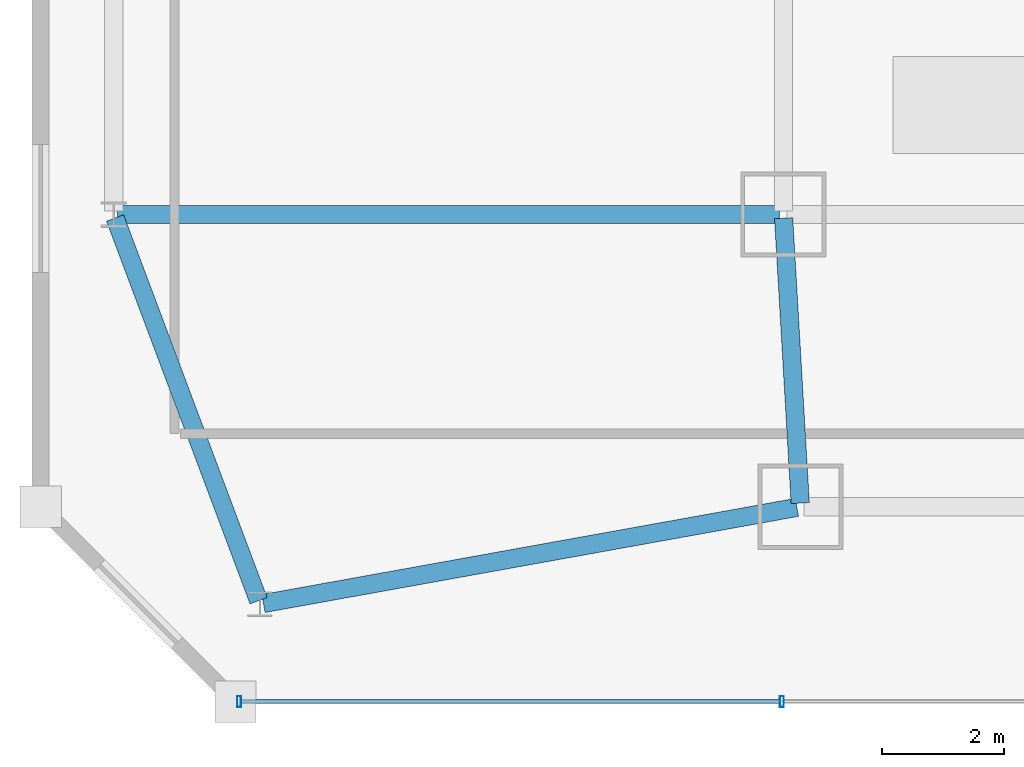
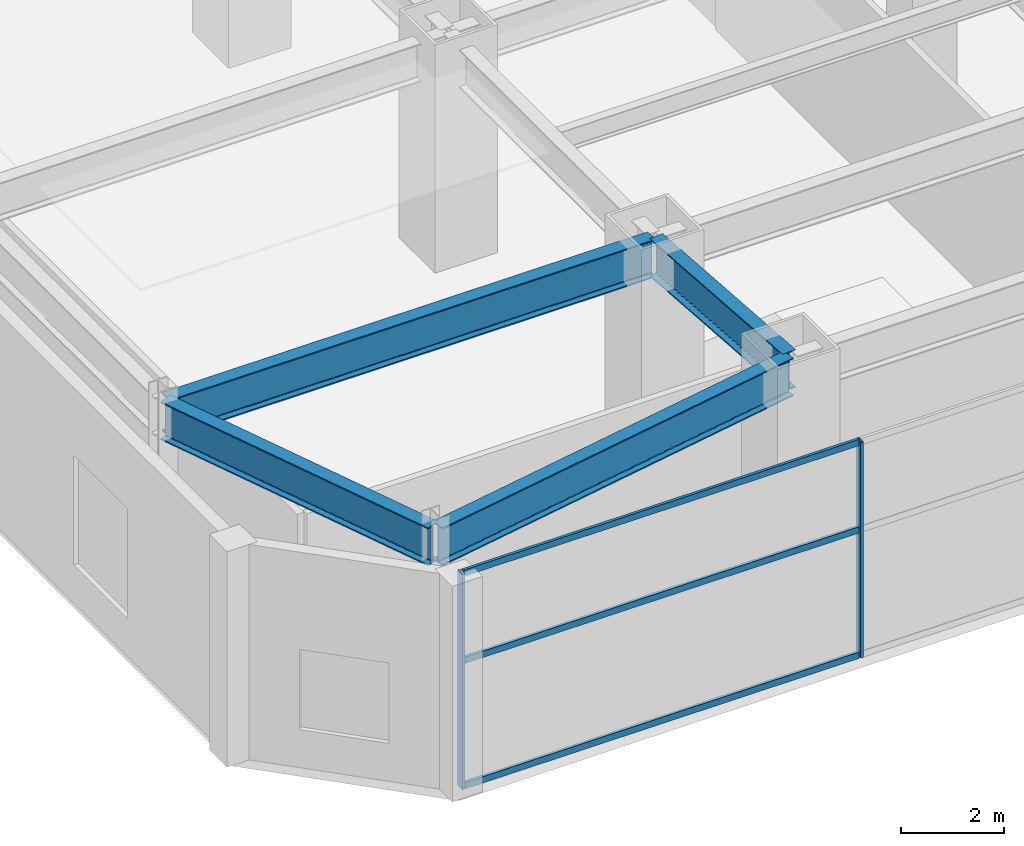
# One storey, part 8 of 51: 5 members, 4 beams, 1 element without a shape of its own.
"""IFC4 building model written with IfcOpenShell, lengths in metres."""

from ifc_helpers import new_model, si_unit, direction, frame, origin, origin_2d, place, context, subcontext, project, spatial, hollow_rectangle, i_section, extrude, material, material_profile, profile_set, type_object, element, aggregate, save


model = new_model("IFC4")

# Units and contexts
model_context = context("Model", 3, precision=1e-05, world=origin(), true_north=direction((0.0, 1.0)))
body_context = subcontext(model_context, "Body", "Model", "MODEL_VIEW")
ifc_project = project(units=[si_unit("LENGTHUNIT", "METRE"), si_unit("AREAUNIT", "SQUARE_METRE"), si_unit("VOLUMEUNIT", "CUBIC_METRE"), si_unit("PLANEANGLEUNIT", "RADIAN"), si_unit("MASSUNIT", "GRAM", prefix="KILO")], contexts=[model_context])

# Site, building, storey
site_placement = place(None, origin())
site = spatial("IfcSite", under=ifc_project, at=site_placement, CompositionType="ELEMENT")
building_placement = place(site_placement, origin())
building = spatial("IfcBuilding", under=site, at=building_placement, Name="Saevonmaru Cultural Tower", CompositionType="ELEMENT")
storey_placement = place(building_placement, frame((0.0, 0.0, 6.0)))
storey = spatial("IfcBuildingStorey", under=building, at=storey_placement, Name="L01", CompositionType="ELEMENT", Elevation=6.0)

# Beams
ifc_material_1 = material(Name="Steel SM420", Category="steel")
ifc_material_profile_1 = material_profile(ifc_material_1, i_section(OverallWidth=0.300048828125, OverallDepth=0.89990234375, WebThickness=0.01611328125, FlangeThickness=0.028076171875, FilletRadius=0.028076171875, at=origin_2d()), Name="H-900x300x16x28")
ifc_profile_set_1 = profile_set([ifc_material_profile_1], Name="Steel SM420")
beam_type = type_object("IfcBeamType", Name="BM-G-H900", PredefinedType="BEAM", material=ifc_profile_set_1)
beam_1_placement = place(storey_placement, frame((12.4765625, 3.260009765625, 4.64990234375), z_axis=(-0.058221363278, 0.998303697708, 0.0), x_axis=(-0.998303697708, -0.058221363278, 0.0)))
element("IfcBeam", 1, at=beam_1_placement, inside=storey, type_object=beam_type, Name="L01 Podium Girder NS1-1", PredefinedType="BEAM", context=body_context, shape_type="SweptSolid", body=[
    extrude(i_section(OverallWidth=0.300048828125, OverallDepth=0.89990234375, WebThickness=0.01611328125, FlangeThickness=0.028076171875, FilletRadius=0.028076171875, at=origin_2d()), origin(), (0.0, 0.0, 1.0), 4.688232421875),
])
beam_2_placement = place(storey_placement, frame((1.260009765625, 8.0, 4.64990234375), z_axis=(1.0, 0.0, 0.0), x_axis=(0.0, 1.0, 0.0)))
element("IfcBeam", 2, at=beam_2_placement, inside=storey, type_object=beam_type, Name="BM-POD-OW-1-L01", PredefinedType="BEAM", context=body_context, shape_type="SweptSolid", body=[
    extrude(i_section(OverallWidth=0.300048828125, OverallDepth=0.89990234375, WebThickness=0.01611328125, FlangeThickness=0.028076171875, FilletRadius=0.028076171875, at=origin_2d()), origin(), (0.0, 0.0, 1.0), 10.8798828125),
])
beam_3_placement = place(storey_placement, frame((3.658935546875, 1.610595703125, 4.64990234375), z_axis=(0.984149934695, 0.177338394151, 0.0), x_axis=(-0.177338394151, 0.984149934695, 0.0)))
element("IfcBeam", 3, at=beam_3_placement, inside=storey, type_object=beam_type, Name="BM-POD-PS-1-L01", PredefinedType="BEAM", context=body_context, shape_type="SweptSolid", body=[
    extrude(i_section(OverallWidth=0.300048828125, OverallDepth=0.89990234375, WebThickness=0.01611328125, FlangeThickness=0.028076171875, FilletRadius=0.028076171875, at=origin_2d()), origin(), (0.0, 0.0, 1.0), 8.903076171875),
])
beam_4_placement = place(storey_placement, frame((3.578857421875, 1.65625, 4.64990234375), z_axis=(-0.351099535502, 0.936338142003, 0.0), x_axis=(-0.936338142003, -0.351099535502, 0.0)))
element("IfcBeam", 4, at=beam_4_placement, inside=storey, type_object=beam_type, Name="BM-POD-PS-3-L01", PredefinedType="BEAM", context=body_context, shape_type="SweptSolid", body=[
    extrude(i_section(OverallWidth=0.300048828125, OverallDepth=0.89990234375, WebThickness=0.01611328125, FlangeThickness=0.028076171875, FilletRadius=0.028076171875, at=origin_2d()), origin(), (0.0, 0.0, 1.0), 6.715087890625),
])

# Curtain wall, members
ifc_material_2 = material(Name="Satin Bronze Anodised Aluminium", Category="aluminium")
curtain_wall_type = type_object("IfcCurtainWallType", Name="CW-POD-GLZ", PredefinedType="NOTDEFINED", material=ifc_material_2)
curtain_wall_placement = place(storey_placement, origin())
curtain_wall = element("IfcCurtainWall", 5, at=curtain_wall_placement, inside=storey, type_object=curtain_wall_type, Name="L01 South Grand Foyer Curtain Wall", PredefinedType="NOTDEFINED")
ifc_material_profile_2 = material_profile(ifc_material_2, hollow_rectangle(XDim=0.06494140625, YDim=0.179931640625, WallThickness=0.00390625, at=origin_2d()), Name="ALU-MULL-180x65x4")
ifc_profile_set_2 = profile_set([ifc_material_profile_2], Name="Satin Bronze Anodised Aluminium")
member_type_1 = type_object("IfcMemberType", Name="ML-CW-180x65", PredefinedType="MULLION", material=ifc_profile_set_2)
member_1_placement = place(storey_placement, frame((3.260009765625, 0.0, 0.0), z_axis=(0.0, 0.0, 1.0), x_axis=(1.0, 0.0, 0.0)))
member_1 = element("IfcMember", 6, at=member_1_placement, type_object=member_type_1, Name="CW-POD-S-L01 mullion 1", PredefinedType="MULLION", context=body_context, shape_type="SweptSolid", body=[
    extrude(hollow_rectangle(XDim=0.06494140625, YDim=0.179931640625, WallThickness=0.00390625, at=origin_2d()), origin(), (0.0, 0.0, 1.0), 5.10009765625),
])
member_2_placement = place(storey_placement, frame((12.17333984375, 0.0, 0.0), z_axis=(0.0, 0.0, 1.0), x_axis=(1.0, 0.0, 0.0)))
member_2 = element("IfcMember", 7, at=member_2_placement, type_object=member_type_1, Name="CW-POD-S-L01 mullion 2", PredefinedType="MULLION", context=body_context, shape_type="SweptSolid", body=[
    extrude(hollow_rectangle(XDim=0.06494140625, YDim=0.179931640625, WallThickness=0.00390625, at=origin_2d()), origin(), (0.0, 0.0, 1.0), 5.10009765625),
])
ifc_material_profile_3 = material_profile(ifc_material_2, hollow_rectangle(XDim=0.06494140625, YDim=0.14990234375, WallThickness=0.00390625, at=origin_2d()), Name="ALU-TRAN-150x65x4")
ifc_profile_set_3 = profile_set([ifc_material_profile_3], Name="Satin Bronze Anodised Aluminium")
member_type_2 = type_object("IfcMemberType", Name="TR-CW-150x65", PredefinedType="USERDEFINED", material=ifc_profile_set_3)
member_3_placement = place(storey_placement, frame((3.29248046875, 0.0, 0.032470703125), z_axis=(1.0, 0.0, 0.0), x_axis=(0.0, 1.0, 0.0)))
member_3 = element("IfcMember", 8, at=member_3_placement, type_object=member_type_2, Name="CW-POD-S-L01 transom 1.1", ObjectType="TRANSOM", PredefinedType="USERDEFINED", context=body_context, shape_type="SweptSolid", body=[
    extrude(hollow_rectangle(XDim=0.06494140625, YDim=0.14990234375, WallThickness=0.00390625, at=origin_2d()), origin(), (0.0, 0.0, 1.0), 8.848388671875),
])
member_4_placement = place(storey_placement, frame((3.29248046875, 0.0, 3.0), z_axis=(1.0, 0.0, 0.0), x_axis=(0.0, 1.0, 0.0)))
member_4 = element("IfcMember", 9, at=member_4_placement, type_object=member_type_2, Name="CW-POD-S-L01 transom 1.2", ObjectType="TRANSOM", PredefinedType="USERDEFINED", context=body_context, shape_type="SweptSolid", body=[
    extrude(hollow_rectangle(XDim=0.06494140625, YDim=0.14990234375, WallThickness=0.00390625, at=origin_2d()), origin(), (0.0, 0.0, 1.0), 8.848388671875),
])
member_5_placement = place(storey_placement, frame((3.29248046875, 0.0, 5.0673828125), z_axis=(1.0, 0.0, 0.0), x_axis=(0.0, 1.0, 0.0)))
member_5 = element("IfcMember", 10, at=member_5_placement, type_object=member_type_2, Name="CW-POD-S-L01 transom 1.3", ObjectType="TRANSOM", PredefinedType="USERDEFINED", context=body_context, shape_type="SweptSolid", body=[
    extrude(hollow_rectangle(XDim=0.06494140625, YDim=0.14990234375, WallThickness=0.00390625, at=origin_2d()), origin(), (0.0, 0.0, 1.0), 8.848388671875),
])
aggregate(curtain_wall, [member_1, member_2, member_3, member_4, member_5])

save(model, "model.ifc")
